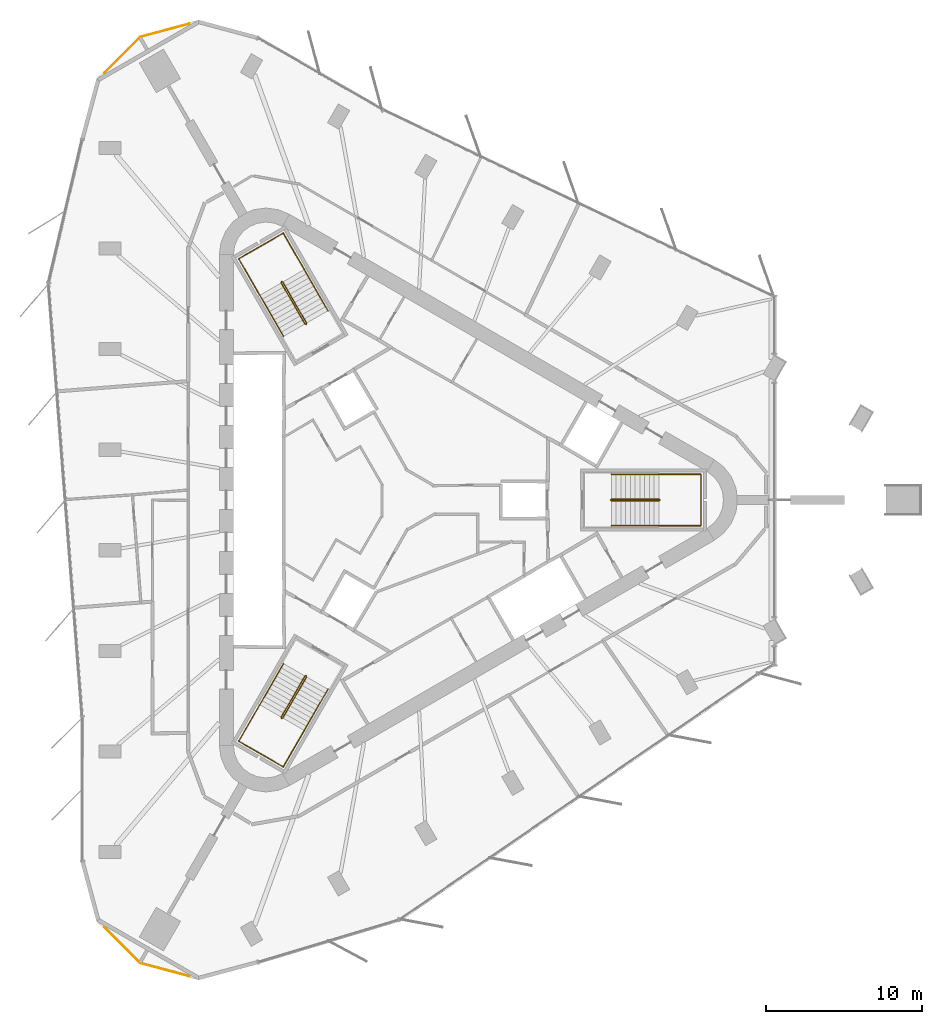
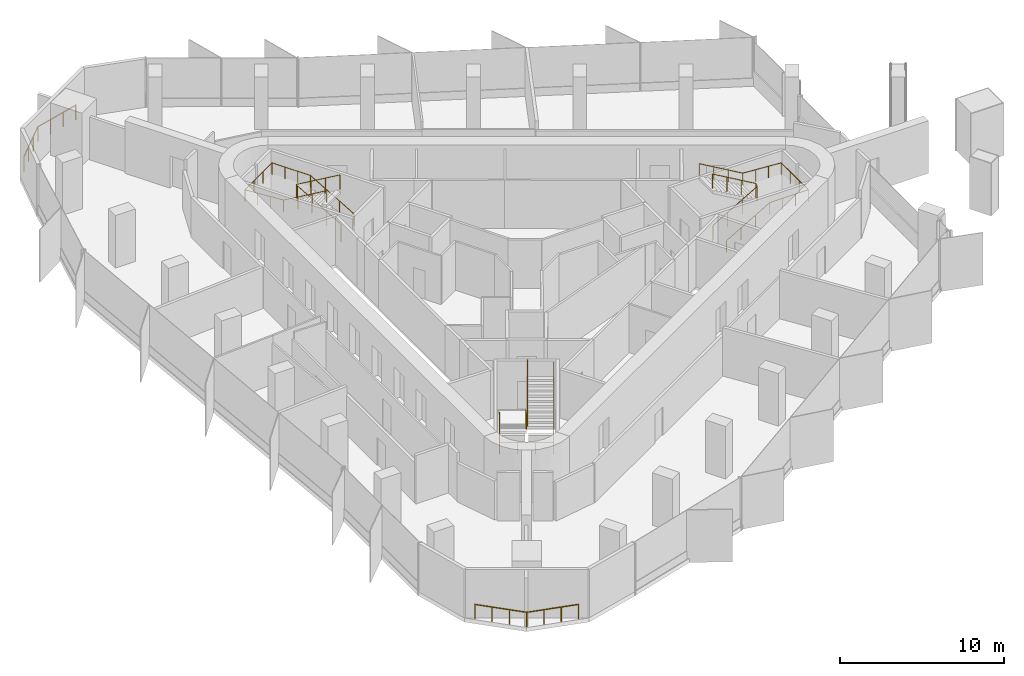
# One storey, part 12 of 12: 8 railings.
"""IFC4 building model written with IfcOpenShell, lengths in metres."""

from ifc_helpers import new_model, si_unit, direction, frame, origin, origin_2d, place, context, subcontext, project, spatial, circle, extrude, material, type_object, element, save


model = new_model("IFC4")

# Units and contexts
model_context = context("Model", 3, precision=1e-05, world=origin(), true_north=direction((0.0, 1.0)))
body_context = subcontext(model_context, "Body", "Model", "MODEL_VIEW")
ifc_project = project(units=[si_unit("LENGTHUNIT", "METRE"), si_unit("AREAUNIT", "SQUARE_METRE"), si_unit("VOLUMEUNIT", "CUBIC_METRE"), si_unit("PLANEANGLEUNIT", "RADIAN"), si_unit("MASSUNIT", "GRAM", prefix="KILO")], contexts=[model_context])

# Site, building, storey
site_placement = place(None, origin())
site = spatial("IfcSite", under=ifc_project, at=site_placement, CompositionType="ELEMENT")
building_placement = place(site_placement, origin())
building = spatial("IfcBuilding", under=site, at=building_placement, Name="Tanit Gate Tower", CompositionType="ELEMENT")
storey_placement = place(building_placement, frame((0.0, 0.0, 376.699951171875)))
storey = spatial("IfcBuildingStorey", under=building, at=storey_placement, Name="L86", CompositionType="ELEMENT", Elevation=376.699951171875)

# Railings
ifc_material_1 = material(Name="Stainless steel", Category="steel")
railing_type_1 = type_object("IfcRailingType", Name="Guard 1100 stainless steel balustrade", PredefinedType="GUARDRAIL", material=ifc_material_1)
railing_1_placement = place(storey_placement, frame((-14.027587890625, -30.60205078125, 0.0)))
element("IfcRailing", 1, at=railing_1_placement, inside=storey, type_object=railing_type_1, Name="Corner ledge guard L86 1", PredefinedType="GUARDRAIL", context=body_context, shape_type="SweptSolid", body=[
    extrude(circle(Radius=0.02392578125, at=origin_2d()), frame((0.0, 0.0, 1.076171875), z_axis=(-0.965931358652, 0.258798397161, 0.0), x_axis=(-0.258798397161, -0.965931358652, 0.0)), (0.0, 0.0, 1.0), 3.263916015625),
    extrude(circle(Radius=0.02392578125, at=origin_2d()), frame((-3.15283203125, 0.8447265625, 1.076171875), z_axis=(-0.707069380992, 0.707144179403, 0.0), x_axis=(-0.707144179403, -0.707069380992, 0.0)), (0.0, 0.0, 1.0), 3.263916015625),
    extrude(circle(Radius=0.02099609375, at=origin_2d()), origin(), (0.0, 0.0, 1.0), 1.052001953125),
    extrude(circle(Radius=0.02099609375, at=origin_2d()), frame((-1.051025390625, 0.281494140625, 0.0)), (0.0, 0.0, 1.0), 1.052001953125),
    extrude(circle(Radius=0.02099609375, at=origin_2d()), frame((-2.101806640625, 0.563232421875, 0.0)), (0.0, 0.0, 1.0), 1.052001953125),
    extrude(circle(Radius=0.02099609375, at=origin_2d()), frame((-3.15283203125, 0.8447265625, 0.0)), (0.0, 0.0, 1.0), 1.052001953125),
    extrude(circle(Radius=0.02099609375, at=origin_2d()), frame((-3.922119140625, 1.614013671875, 0.0)), (0.0, 0.0, 1.0), 1.052001953125),
    extrude(circle(Radius=0.02099609375, at=origin_2d()), frame((-4.69140625, 2.383544921875, 0.0)), (0.0, 0.0, 1.0), 1.052001953125),
    extrude(circle(Radius=0.02099609375, at=origin_2d()), frame((-5.460693359375, 3.15283203125, 0.0)), (0.0, 0.0, 1.0), 1.052001953125),
])
railing_2_placement = place(storey_placement, frame((-19.48828125, 27.44921875, 0.0)))
element("IfcRailing", 2, at=railing_2_placement, inside=storey, type_object=railing_type_1, Name="Corner ledge guard L86 2", PredefinedType="GUARDRAIL", context=body_context, shape_type="SweptSolid", body=[
    extrude(circle(Radius=0.02392578125, at=origin_2d()), frame((0.0, 0.0, 1.076171875), z_axis=(0.707069380992, 0.707144179403, 0.0), x_axis=(-0.707144179403, 0.707069380992, 0.0)), (0.0, 0.0, 1.0), 3.263916015625),
    extrude(circle(Radius=0.02392578125, at=origin_2d()), frame((2.307861328125, 2.30810546875, 1.076171875), z_axis=(0.965931358652, 0.258798397161, 0.0), x_axis=(-0.258798397161, 0.965931358652, 0.0)), (0.0, 0.0, 1.0), 3.263916015625),
    extrude(circle(Radius=0.02099609375, at=origin_2d()), origin(), (0.0, 0.0, 1.0), 1.052001953125),
    extrude(circle(Radius=0.02099609375, at=origin_2d()), frame((0.769287109375, 0.769287109375, 0.0)), (0.0, 0.0, 1.0), 1.052001953125),
    extrude(circle(Radius=0.02099609375, at=origin_2d()), frame((1.53857421875, 1.538818359375, 0.0)), (0.0, 0.0, 1.0), 1.052001953125),
    extrude(circle(Radius=0.02099609375, at=origin_2d()), frame((2.307861328125, 2.30810546875, 0.0)), (0.0, 0.0, 1.0), 1.052001953125),
    extrude(circle(Radius=0.02099609375, at=origin_2d()), frame((3.35888671875, 2.589599609375, 0.0)), (0.0, 0.0, 1.0), 1.052001953125),
    extrude(circle(Radius=0.02099609375, at=origin_2d()), frame((4.40966796875, 2.871337890625, 0.0)), (0.0, 0.0, 1.0), 1.052001953125),
    extrude(circle(Radius=0.02099609375, at=origin_2d()), frame((5.460693359375, 3.15283203125, 0.0)), (0.0, 0.0, 1.0), 1.052001953125),
])
ifc_material_2 = material(Name="Stainless steel balustrade", Category="steel")
railing_type_2 = type_object("IfcRailingType", Name="INT-STAIR-GUARD", PredefinedType="GUARDRAIL", material=ifc_material_2)
railing_3_placement = place(storey_placement, frame((13.044921875, 0.0048828125, 0.0)))
element("IfcRailing", 3, at=railing_3_placement, inside=storey, type_object=railing_type_2, Name="L86 S1 stair guard 1", PredefinedType="GUARDRAIL", context=body_context, shape_type="SweptSolid", body=[
    extrude(circle(Radius=0.02392578125, at=origin_2d()), frame((0.0, 0.0, 1.076171875), z_axis=(0.0, -1.0, 0.0), x_axis=(1.0, 0.0, 0.0)), (0.0, 0.0, 1.0), 0.009765625),
    extrude(circle(Radius=0.02392578125, at=origin_2d()), frame((0.0, -0.009765625, 1.076171875), z_axis=(0.262233686654, -0.262233686654, 0.928691007369), x_axis=(0.707106781187, 0.707106781187, 0.0)), (0.0, 0.0, 1.0), 0.19091796875),
    extrude(circle(Radius=0.02392578125, at=origin_2d()), frame((0.050048828125, -0.059814453125, 1.25341796875), z_axis=(0.864648382064, 0.0, 0.502377522779), x_axis=(0.0, 1.0, 0.0)), (0.0, 0.0, 1.0), 3.528564453125),
    extrude(circle(Radius=0.02392578125, at=origin_2d()), frame((3.10107421875, -0.059814453125, 3.02587890625), z_axis=(0.707106781187, 0.707106781187, 0.0), x_axis=(-0.707106781187, 0.707106781187, 0.0)), (0.0, 0.0, 1.0), 0.07080078125),
    extrude(circle(Radius=0.02392578125, at=origin_2d()), frame((3.151123046875, -0.009765625, 3.02587890625), z_axis=(0.0, 1.0, 0.0), x_axis=(-1.0, 0.0, 0.0)), (0.0, 0.0, 1.0), 0.009765625),
    extrude(circle(Radius=0.02392578125, at=origin_2d()), frame((3.151123046875, 0.0, 3.02587890625), z_axis=(-0.261922500866, 0.261922500866, 0.928866625022), x_axis=(-0.707106781187, -0.707106781187, 0.0)), (0.0, 0.0, 1.0), 0.191162109375),
    extrude(circle(Radius=0.02392578125, at=origin_2d()), frame((3.10107421875, 0.050048828125, 3.20361328125), z_axis=(-0.864648382064, 0.0, 0.502377522779), x_axis=(0.0, -1.0, 0.0)), (0.0, 0.0, 1.0), 3.528564453125),
    extrude(circle(Radius=0.02099609375, at=origin_2d()), origin(), (0.0, 0.0, 1.0), 1.052001953125),
    extrude(circle(Radius=0.02099609375, at=origin_2d()), frame((0.0, -0.009765625, 0.0)), (0.0, 0.0, 1.0), 1.052001953125),
    extrude(circle(Radius=0.02099609375, at=origin_2d()), frame((0.050048828125, -0.059814453125, 0.17724609375)), (0.0, 0.0, 1.0), 1.052001953125),
    extrude(circle(Radius=0.02099609375, at=origin_2d()), frame((1.067138671875, -0.059814453125, 0.76806640625)), (0.0, 0.0, 1.0), 1.052001953125),
    extrude(circle(Radius=0.02099609375, at=origin_2d()), frame((2.083984375, -0.059814453125, 1.359130859375)), (0.0, 0.0, 1.0), 1.052001953125),
    extrude(circle(Radius=0.02099609375, at=origin_2d()), frame((3.10107421875, -0.059814453125, 1.949951171875)), (0.0, 0.0, 1.0), 1.052001953125),
    extrude(circle(Radius=0.02099609375, at=origin_2d()), frame((3.151123046875, -0.009765625, 1.949951171875)), (0.0, 0.0, 1.0), 1.052001953125),
    extrude(circle(Radius=0.02099609375, at=origin_2d()), frame((3.151123046875, 0.0, 1.949951171875)), (0.0, 0.0, 1.0), 1.052001953125),
    extrude(circle(Radius=0.02099609375, at=origin_2d()), frame((3.10107421875, 0.050048828125, 2.12744140625)), (0.0, 0.0, 1.0), 1.052001953125),
    extrude(circle(Radius=0.02099609375, at=origin_2d()), frame((2.083984375, 0.050048828125, 2.71826171875)), (0.0, 0.0, 1.0), 1.052001953125),
    extrude(circle(Radius=0.02099609375, at=origin_2d()), frame((1.067138671875, 0.050048828125, 3.309326171875)), (0.0, 0.0, 1.0), 1.052001953125),
    extrude(circle(Radius=0.02099609375, at=origin_2d()), frame((0.050048828125, 0.050048828125, 3.900146484375)), (0.0, 0.0, 1.0), 1.052001953125),
])
railing_4_placement = place(storey_placement, frame((-6.527099609375, 11.29345703125, 0.0)))
element("IfcRailing", 4, at=railing_4_placement, inside=storey, type_object=railing_type_2, Name="L86 S2 stair guard 1", PredefinedType="GUARDRAIL", context=body_context, shape_type="SweptSolid", body=[
    extrude(circle(Radius=0.02392578125, at=origin_2d()), frame((0.0, 0.0, 1.076171875), z_axis=(0.868243142124, 0.496138938357, 0.0), x_axis=(-0.496138938357, 0.868243142124, 0.0)), (0.0, 0.0, 1.0), 0.01171875),
    extrude(circle(Radius=0.02392578125, at=origin_2d()), frame((0.01025390625, 0.005859375, 1.076171875), z_axis=(0.095941116058, 0.358180166617, 0.928710003441), x_axis=(-0.965948051503, 0.258736085224, 0.0)), (0.0, 0.0, 1.0), 0.19091796875),
    extrude(circle(Radius=0.02392578125, at=origin_2d()), frame((0.028564453125, 0.07421875, 1.25341796875), z_axis=(-0.4322777601, 0.748681545756, 0.50260509465), x_axis=(-0.866012246495, -0.500022788402, 0.0)), (0.0, 0.0, 1.0), 3.527099609375),
    extrude(circle(Radius=0.02392578125, at=origin_2d()), frame((-1.49609375, 2.71484375, 3.02587890625), z_axis=(-0.965715946433, 0.259601060869, 0.0), x_axis=(-0.259601060869, -0.965715946433, 0.0)), (0.0, 0.0, 1.0), 0.070556640625),
    extrude(circle(Radius=0.02392578125, at=origin_2d()), frame((-1.564208984375, 2.733154296875, 3.02587890625), z_axis=(-0.873197702015, -0.487366159264, 0.0), x_axis=(0.487366159264, -0.873197702015, 0.0)), (0.0, 0.0, 1.0), 0.011962890625),
    extrude(circle(Radius=0.02392578125, at=origin_2d()), frame((-1.57470703125, 2.727294921875, 3.02587890625), z_axis=(-0.095827260621, -0.357755106318, 0.928885579619), x_axis=(0.965948051503, -0.258736085224, 0.0)), (0.0, 0.0, 1.0), 0.191162109375),
    extrude(circle(Radius=0.02392578125, at=origin_2d()), frame((-1.593017578125, 2.658935546875, 3.20361328125), z_axis=(0.4322777601, -0.748681545756, 0.50260509465), x_axis=(0.866012246495, 0.500022788402, 0.0)), (0.0, 0.0, 1.0), 3.527099609375),
    extrude(circle(Radius=0.02099609375, at=origin_2d()), origin(), (0.0, 0.0, 1.0), 1.052001953125),
    extrude(circle(Radius=0.02099609375, at=origin_2d()), frame((0.01025390625, 0.005859375, 0.0)), (0.0, 0.0, 1.0), 1.052001953125),
    extrude(circle(Radius=0.02099609375, at=origin_2d()), frame((0.028564453125, 0.07421875, 0.17724609375)), (0.0, 0.0, 1.0), 1.052001953125),
    extrude(circle(Radius=0.02099609375, at=origin_2d()), frame((-0.479736328125, 0.954345703125, 0.76806640625)), (0.0, 0.0, 1.0), 1.052001953125),
    extrude(circle(Radius=0.02099609375, at=origin_2d()), frame((-0.98779296875, 1.834716796875, 1.359130859375)), (0.0, 0.0, 1.0), 1.052001953125),
    extrude(circle(Radius=0.02099609375, at=origin_2d()), frame((-1.49609375, 2.71484375, 1.949951171875)), (0.0, 0.0, 1.0), 1.052001953125),
    extrude(circle(Radius=0.02099609375, at=origin_2d()), frame((-1.564208984375, 2.733154296875, 1.949951171875)), (0.0, 0.0, 1.0), 1.052001953125),
    extrude(circle(Radius=0.02099609375, at=origin_2d()), frame((-1.57470703125, 2.727294921875, 1.949951171875)), (0.0, 0.0, 1.0), 1.052001953125),
    extrude(circle(Radius=0.02099609375, at=origin_2d()), frame((-1.593017578125, 2.658935546875, 2.12744140625)), (0.0, 0.0, 1.0), 1.052001953125),
    extrude(circle(Radius=0.02099609375, at=origin_2d()), frame((-1.084716796875, 1.77880859375, 2.71826171875)), (0.0, 0.0, 1.0), 1.052001953125),
    extrude(circle(Radius=0.02099609375, at=origin_2d()), frame((-0.57666015625, 0.8984375, 3.309326171875)), (0.0, 0.0, 1.0), 1.052001953125),
    extrude(circle(Radius=0.02099609375, at=origin_2d()), frame((-0.068359375, 0.018310546875, 3.900146484375)), (0.0, 0.0, 1.0), 1.052001953125),
])
railing_5_placement = place(storey_placement, frame((-6.51806640625, -11.2998046875, 0.0)))
element("IfcRailing", 5, at=railing_5_placement, inside=storey, type_object=railing_type_2, Name="L86 S3 stair guard 1", PredefinedType="GUARDRAIL", context=body_context, shape_type="SweptSolid", body=[
    extrude(circle(Radius=0.02392578125, at=origin_2d()), frame((0.0, 0.0, 1.076171875), z_axis=(-0.874157276122, 0.485642931179, 0.0), x_axis=(-0.485642931179, -0.874157276122, 0.0)), (0.0, 0.0, 1.0), 0.010009765625),
    extrude(circle(Radius=0.02392578125, at=origin_2d()), frame((-0.0087890625, 0.0048828125, 1.076171875), z_axis=(-0.358223840744, -0.094673443625, 0.928823244215), x_axis=(0.255512919477, -0.966805641264, 0.0)), (0.0, 0.0, 1.0), 0.19091796875),
    extrude(circle(Radius=0.02392578125, at=origin_2d()), frame((-0.0771484375, -0.01318359375, 1.25341796875), z_axis=(-0.432289778901, -0.748827189027, 0.502377734411), x_axis=(0.866048339477, -0.499960272111, 0.0)), (0.0, 0.0, 1.0), 3.528564453125),
    extrude(circle(Radius=0.02392578125, at=origin_2d()), frame((-1.6025390625, -2.655517578125, 3.02587890625), z_axis=(0.258736085224, -0.965948051503, 0.0), x_axis=(0.965948051503, 0.258736085224, 0.0)), (0.0, 0.0, 1.0), 0.07080078125),
    extrude(circle(Radius=0.02392578125, at=origin_2d()), frame((-1.584228515625, -2.723876953125, 3.02587890625), z_axis=(0.868243142124, -0.496138938357, 0.0), x_axis=(0.496138938357, 0.868243142124, 0.0)), (0.0, 0.0, 1.0), 0.009765625),
    extrude(circle(Radius=0.02392578125, at=origin_2d()), frame((-1.57568359375, -2.728759765625, 3.02587890625), z_axis=(0.357755106318, 0.095827260621, 0.928885579619), x_axis=(-0.258736085224, 0.965948051503, 0.0)), (0.0, 0.0, 1.0), 0.191162109375),
    extrude(circle(Radius=0.02392578125, at=origin_2d()), frame((-1.50732421875, -2.71044921875, 3.20361328125), z_axis=(0.432368434633, 0.748774395838, 0.502388734816), x_axis=(-0.865993683553, 0.500054937028, 0.0)), (0.0, 0.0, 1.0), 3.528564453125),
    extrude(circle(Radius=0.02099609375, at=origin_2d()), origin(), (0.0, 0.0, 1.0), 1.052001953125),
    extrude(circle(Radius=0.02099609375, at=origin_2d()), frame((-0.0087890625, 0.0048828125, 0.0)), (0.0, 0.0, 1.0), 1.052001953125),
    extrude(circle(Radius=0.02099609375, at=origin_2d()), frame((-0.0771484375, -0.01318359375, 0.17724609375)), (0.0, 0.0, 1.0), 1.052001953125),
    extrude(circle(Radius=0.02099609375, at=origin_2d()), frame((-0.585693359375, -0.89404296875, 0.76806640625)), (0.0, 0.0, 1.0), 1.052001953125),
    extrude(circle(Radius=0.02099609375, at=origin_2d()), frame((-1.093994140625, -1.774658203125, 1.359130859375)), (0.0, 0.0, 1.0), 1.052001953125),
    extrude(circle(Radius=0.02099609375, at=origin_2d()), frame((-1.6025390625, -2.655517578125, 1.949951171875)), (0.0, 0.0, 1.0), 1.052001953125),
    extrude(circle(Radius=0.02099609375, at=origin_2d()), frame((-1.584228515625, -2.723876953125, 1.949951171875)), (0.0, 0.0, 1.0), 1.052001953125),
    extrude(circle(Radius=0.02099609375, at=origin_2d()), frame((-1.57568359375, -2.728759765625, 1.949951171875)), (0.0, 0.0, 1.0), 1.052001953125),
    extrude(circle(Radius=0.02099609375, at=origin_2d()), frame((-1.50732421875, -2.71044921875, 2.12744140625)), (0.0, 0.0, 1.0), 1.052001953125),
    extrude(circle(Radius=0.02099609375, at=origin_2d()), frame((-0.998779296875, -1.829833984375, 2.71826171875)), (0.0, 0.0, 1.0), 1.052001953125),
    extrude(circle(Radius=0.02099609375, at=origin_2d()), frame((-0.490234375, -0.948974609375, 3.309326171875)), (0.0, 0.0, 1.0), 1.052001953125),
    extrude(circle(Radius=0.02099609375, at=origin_2d()), frame((0.018310546875, -0.068359375, 3.900146484375)), (0.0, 0.0, 1.0), 1.052001953125),
])
ifc_material_3 = material(Name="Stainless steel handrail", Category="steel")
railing_type_3 = type_object("IfcRailingType", Name="INT-STAIR-HANDRAIL", PredefinedType="HANDRAIL", material=ifc_material_3)
railing_6_placement = place(storey_placement, frame((13.094970703125, -1.64990234375, 0.17724609375)))
element("IfcRailing", 6, at=railing_6_placement, inside=storey, type_object=railing_type_3, Name="L86 S1 stair handrail 1", PredefinedType="HANDRAIL", context=body_context, shape_type="SweptSolid", body=[
    extrude(circle(Radius=0.02392578125, at=origin_2d()), frame((0.0, 0.0, 0.8759765625), z_axis=(0.864648382064, 0.0, 0.502377522779), x_axis=(0.0, 1.0, 0.0)), (0.0, 0.0, 1.0), 3.528564453125),
    extrude(circle(Radius=0.02392578125, at=origin_2d()), frame((3.051025390625, 0.0, 2.6484375), z_axis=(1.0, 0.0, 0.0), x_axis=(0.0, 1.0, 0.0)), (0.0, 0.0, 1.0), 2.7041015625),
    extrude(circle(Radius=0.02392578125, at=origin_2d()), frame((5.755126953125, 0.0, 2.6484375), z_axis=(0.0, 1.0, 0.0), x_axis=(-1.0, 0.0, 0.0)), (0.0, 0.0, 1.0), 3.2998046875),
    extrude(circle(Radius=0.02392578125, at=origin_2d()), frame((5.755126953125, 3.2998046875, 2.6484375), z_axis=(-0.997852800478, 0.0, 0.065496477604), x_axis=(0.0, -1.0, 0.0)), (0.0, 0.0, 1.0), 2.7099609375),
    extrude(circle(Radius=0.02392578125, at=origin_2d()), frame((3.051025390625, 3.2998046875, 2.826171875), z_axis=(-0.864648382064, 0.0, 0.502377522779), x_axis=(0.0, -1.0, 0.0)), (0.0, 0.0, 1.0), 3.528564453125),
    extrude(circle(Radius=0.02099609375, at=origin_2d()), origin(), (0.0, 0.0, 1.0), 0.851806640625),
    extrude(circle(Radius=0.02099609375, at=origin_2d()), frame((1.01708984375, 0.0, 0.5908203125)), (0.0, 0.0, 1.0), 0.851806640625),
    extrude(circle(Radius=0.02099609375, at=origin_2d()), frame((2.033935546875, 0.0, 1.181884765625)), (0.0, 0.0, 1.0), 0.851806640625),
    extrude(circle(Radius=0.02099609375, at=origin_2d()), frame((3.051025390625, 0.0, 1.772705078125)), (0.0, 0.0, 1.0), 0.851806640625),
    extrude(circle(Radius=0.02099609375, at=origin_2d()), frame((3.952392578125, 0.0, 1.772705078125)), (0.0, 0.0, 1.0), 0.851806640625),
    extrude(circle(Radius=0.02099609375, at=origin_2d()), frame((4.853759765625, 0.0, 1.772705078125)), (0.0, 0.0, 1.0), 0.851806640625),
    extrude(circle(Radius=0.02099609375, at=origin_2d()), frame((5.755126953125, 0.0, 1.772705078125)), (0.0, 0.0, 1.0), 0.851806640625),
    extrude(circle(Radius=0.02099609375, at=origin_2d()), frame((5.755126953125, 1.099853515625, 1.772705078125)), (0.0, 0.0, 1.0), 0.851806640625),
    extrude(circle(Radius=0.02099609375, at=origin_2d()), frame((5.755126953125, 2.199951171875, 1.772705078125)), (0.0, 0.0, 1.0), 0.851806640625),
    extrude(circle(Radius=0.02099609375, at=origin_2d()), frame((5.755126953125, 3.2998046875, 1.772705078125)), (0.0, 0.0, 1.0), 0.851806640625),
    extrude(circle(Radius=0.02099609375, at=origin_2d()), frame((4.853759765625, 3.2998046875, 1.831787109375)), (0.0, 0.0, 1.0), 0.851806640625),
    extrude(circle(Radius=0.02099609375, at=origin_2d()), frame((3.952392578125, 3.2998046875, 1.89111328125)), (0.0, 0.0, 1.0), 0.851806640625),
    extrude(circle(Radius=0.02099609375, at=origin_2d()), frame((3.051025390625, 3.2998046875, 1.9501953125)), (0.0, 0.0, 1.0), 0.851806640625),
    extrude(circle(Radius=0.02099609375, at=origin_2d()), frame((2.033935546875, 3.2998046875, 2.541015625)), (0.0, 0.0, 1.0), 0.851806640625),
    extrude(circle(Radius=0.02099609375, at=origin_2d()), frame((1.01708984375, 3.2998046875, 3.132080078125)), (0.0, 0.0, 1.0), 0.851806640625),
    extrude(circle(Radius=0.02099609375, at=origin_2d()), frame((0.0, 3.2998046875, 3.722900390625)), (0.0, 0.0, 1.0), 0.851806640625),
])
railing_7_placement = place(storey_placement, frame((-5.1181640625, 12.164794921875, 0.17724609375)))
element("IfcRailing", 7, at=railing_7_placement, inside=storey, type_object=railing_type_3, Name="L86 S2 stair handrail 1", PredefinedType="HANDRAIL", context=body_context, shape_type="SweptSolid", body=[
    extrude(circle(Radius=0.02392578125, at=origin_2d()), frame((0.0, 0.0, 0.8759765625), z_axis=(-0.432221472453, 0.748703947157, 0.502620133164), x_axis=(-0.866046917185, -0.499962735845, 0.0)), (0.0, 0.0, 1.0), 3.52685546875),
    extrude(circle(Radius=0.02392578125, at=origin_2d()), frame((-1.5244140625, 2.640625, 2.6484375), z_axis=(-0.500019123664, 0.86601436245, 0.0), x_axis=(-0.86601436245, -0.500019123664, 0.0)), (0.0, 0.0, 1.0), 2.70703125),
    extrude(circle(Radius=0.02392578125, at=origin_2d()), frame((-2.8779296875, 4.98486328125, 2.6484375), z_axis=(-0.866008176907, -0.50002983664, 0.0), x_axis=(0.50002983664, -0.866008176907, 0.0)), (0.0, 0.0, 1.0), 3.300048828125),
    extrude(circle(Radius=0.02392578125, at=origin_2d()), frame((-5.73583984375, 3.334716796875, 2.6484375), z_axis=(0.498986523186, -0.864135932379, 0.065433478058), x_axis=(0.865991810323, 0.500058181068, 0.0)), (0.0, 0.0, 1.0), 2.712646484375),
    extrude(circle(Radius=0.02392578125, at=origin_2d()), frame((-4.38232421875, 0.99072265625, 2.826171875), z_axis=(0.432255358616, -0.748711963836, 0.502579048665), x_axis=(0.866032263162, 0.499988119021, 0.0)), (0.0, 0.0, 1.0), 3.527099609375),
    extrude(circle(Radius=0.02099609375, at=origin_2d()), origin(), (0.0, 0.0, 1.0), 0.851806640625),
    extrude(circle(Radius=0.02099609375, at=origin_2d()), frame((-0.508056640625, 0.880126953125, 0.5908203125)), (0.0, 0.0, 1.0), 0.851806640625),
    extrude(circle(Radius=0.02099609375, at=origin_2d()), frame((-1.016357421875, 1.760498046875, 1.181884765625)), (0.0, 0.0, 1.0), 0.851806640625),
    extrude(circle(Radius=0.02099609375, at=origin_2d()), frame((-1.5244140625, 2.640625, 1.772705078125)), (0.0, 0.0, 1.0), 0.851806640625),
    extrude(circle(Radius=0.02099609375, at=origin_2d()), frame((-1.9755859375, 3.422119140625, 1.772705078125)), (0.0, 0.0, 1.0), 0.851806640625),
    extrude(circle(Radius=0.02099609375, at=origin_2d()), frame((-2.4267578125, 4.203369140625, 1.772705078125)), (0.0, 0.0, 1.0), 0.851806640625),
    extrude(circle(Radius=0.02099609375, at=origin_2d()), frame((-2.8779296875, 4.98486328125, 1.772705078125)), (0.0, 0.0, 1.0), 0.851806640625),
    extrude(circle(Radius=0.02099609375, at=origin_2d()), frame((-3.83056640625, 4.434814453125, 1.772705078125)), (0.0, 0.0, 1.0), 0.851806640625),
    extrude(circle(Radius=0.02099609375, at=origin_2d()), frame((-4.783203125, 3.884765625, 1.772705078125)), (0.0, 0.0, 1.0), 0.851806640625),
    extrude(circle(Radius=0.02099609375, at=origin_2d()), frame((-5.73583984375, 3.334716796875, 1.772705078125)), (0.0, 0.0, 1.0), 0.851806640625),
    extrude(circle(Radius=0.02099609375, at=origin_2d()), frame((-5.28466796875, 2.553466796875, 1.831787109375)), (0.0, 0.0, 1.0), 0.851806640625),
    extrude(circle(Radius=0.02099609375, at=origin_2d()), frame((-4.83349609375, 1.77197265625, 1.89111328125)), (0.0, 0.0, 1.0), 0.851806640625),
    extrude(circle(Radius=0.02099609375, at=origin_2d()), frame((-4.38232421875, 0.99072265625, 1.9501953125)), (0.0, 0.0, 1.0), 0.851806640625),
    extrude(circle(Radius=0.02099609375, at=origin_2d()), frame((-3.8740234375, 0.1103515625, 2.541015625)), (0.0, 0.0, 1.0), 0.851806640625),
    extrude(circle(Radius=0.02099609375, at=origin_2d()), frame((-3.365966796875, -0.769775390625, 3.132080078125)), (0.0, 0.0, 1.0), 0.851806640625),
    extrude(circle(Radius=0.02099609375, at=origin_2d()), frame((-2.857666015625, -1.650146484375, 3.722900390625)), (0.0, 0.0, 1.0), 0.851806640625),
])
railing_8_placement = place(storey_placement, frame((-7.9765625, -10.515625, 0.17724609375)))
element("IfcRailing", 8, at=railing_8_placement, inside=storey, type_object=railing_type_3, Name="L86 S3 stair handrail 1", PredefinedType="HANDRAIL", context=body_context, shape_type="SweptSolid", body=[
    extrude(circle(Radius=0.02392578125, at=origin_2d()), frame((0.0, 0.0, 0.8759765625), z_axis=(-0.432289778901, -0.748827189027, 0.502377734411), x_axis=(0.866048339477, -0.499960272111, 0.0)), (0.0, 0.0, 1.0), 3.528564453125),
    extrude(circle(Radius=0.02392578125, at=origin_2d()), frame((-1.525390625, -2.642333984375, 2.6484375), z_axis=(-0.50004290449, -0.866000631449, 0.0), x_axis=(0.866000631449, -0.50004290449, 0.0)), (0.0, 0.0, 1.0), 2.703857421875),
    extrude(circle(Radius=0.02392578125, at=origin_2d()), frame((-2.87744140625, -4.98388671875, 2.6484375), z_axis=(0.866008176907, -0.50002983664, 0.0), x_axis=(0.50002983664, 0.866008176907, 0.0)), (0.0, 0.0, 1.0), 3.300048828125),
    extrude(circle(Radius=0.02392578125, at=origin_2d()), frame((-0.01953125, -6.634033203125, 2.6484375), z_axis=(0.498930182534, 0.864163653099, 0.065496974125), x_axis=(-0.866023205937, 0.500003806764, 0.0)), (0.0, 0.0, 1.0), 2.7099609375),
    extrude(circle(Radius=0.02392578125, at=origin_2d()), frame((1.33251953125, -4.292236328125, 2.826171875), z_axis=(0.432289778901, 0.748827189027, 0.502377734411), x_axis=(-0.866048339477, 0.499960272111, 0.0)), (0.0, 0.0, 1.0), 3.528564453125),
    extrude(circle(Radius=0.02099609375, at=origin_2d()), origin(), (0.0, 0.0, 1.0), 0.851806640625),
    extrude(circle(Radius=0.02099609375, at=origin_2d()), frame((-0.508544921875, -0.880859375, 0.5908203125)), (0.0, 0.0, 1.0), 0.851806640625),
    extrude(circle(Radius=0.02099609375, at=origin_2d()), frame((-1.016845703125, -1.761474609375, 1.181884765625)), (0.0, 0.0, 1.0), 0.851806640625),
    extrude(circle(Radius=0.02099609375, at=origin_2d()), frame((-1.525390625, -2.642333984375, 1.772705078125)), (0.0, 0.0, 1.0), 0.851806640625),
    extrude(circle(Radius=0.02099609375, at=origin_2d()), frame((-1.97607421875, -3.4228515625, 1.772705078125)), (0.0, 0.0, 1.0), 0.851806640625),
    extrude(circle(Radius=0.02099609375, at=origin_2d()), frame((-2.4267578125, -4.203369140625, 1.772705078125)), (0.0, 0.0, 1.0), 0.851806640625),
    extrude(circle(Radius=0.02099609375, at=origin_2d()), frame((-2.87744140625, -4.98388671875, 1.772705078125)), (0.0, 0.0, 1.0), 0.851806640625),
    extrude(circle(Radius=0.02099609375, at=origin_2d()), frame((-1.9248046875, -5.533935546875, 1.772705078125)), (0.0, 0.0, 1.0), 0.851806640625),
    extrude(circle(Radius=0.02099609375, at=origin_2d()), frame((-0.97216796875, -6.083984375, 1.772705078125)), (0.0, 0.0, 1.0), 0.851806640625),
    extrude(circle(Radius=0.02099609375, at=origin_2d()), frame((-0.01953125, -6.634033203125, 1.772705078125)), (0.0, 0.0, 1.0), 0.851806640625),
    extrude(circle(Radius=0.02099609375, at=origin_2d()), frame((0.43115234375, -5.853515625, 1.831787109375)), (0.0, 0.0, 1.0), 0.851806640625),
    extrude(circle(Radius=0.02099609375, at=origin_2d()), frame((0.8818359375, -5.07275390625, 1.89111328125)), (0.0, 0.0, 1.0), 0.851806640625),
    extrude(circle(Radius=0.02099609375, at=origin_2d()), frame((1.33251953125, -4.292236328125, 1.9501953125)), (0.0, 0.0, 1.0), 0.851806640625),
    extrude(circle(Radius=0.02099609375, at=origin_2d()), frame((1.841064453125, -3.411376953125, 2.541015625)), (0.0, 0.0, 1.0), 0.851806640625),
    extrude(circle(Radius=0.02099609375, at=origin_2d()), frame((2.349365234375, -2.53076171875, 3.132080078125)), (0.0, 0.0, 1.0), 0.851806640625),
    extrude(circle(Radius=0.02099609375, at=origin_2d()), frame((2.85791015625, -1.64990234375, 3.722900390625)), (0.0, 0.0, 1.0), 0.851806640625),
])

save(model, "model.ifc")
